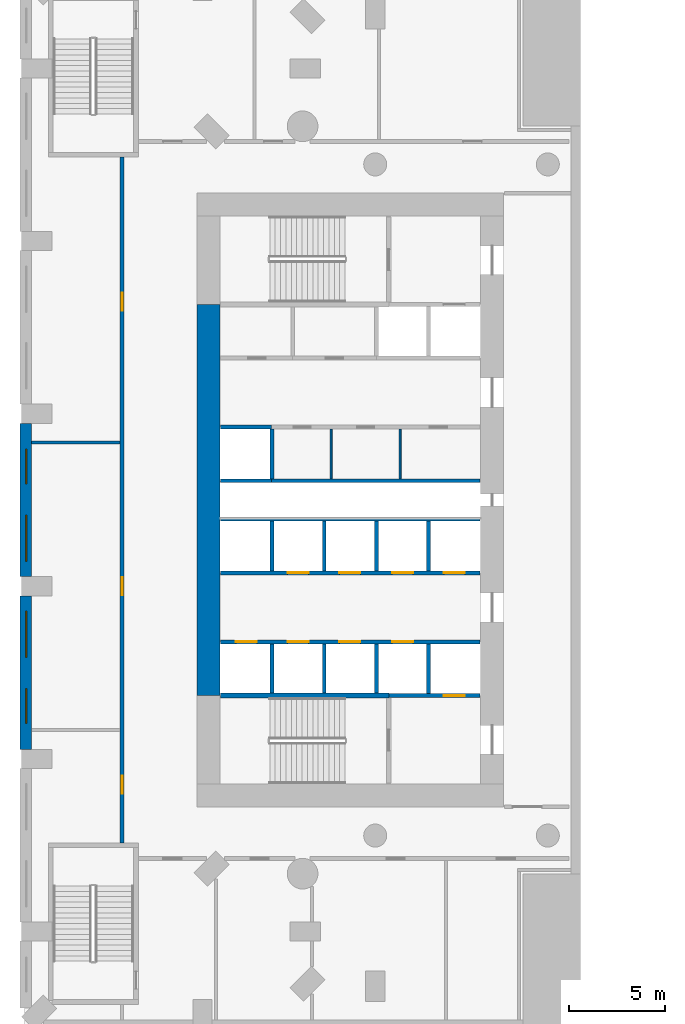
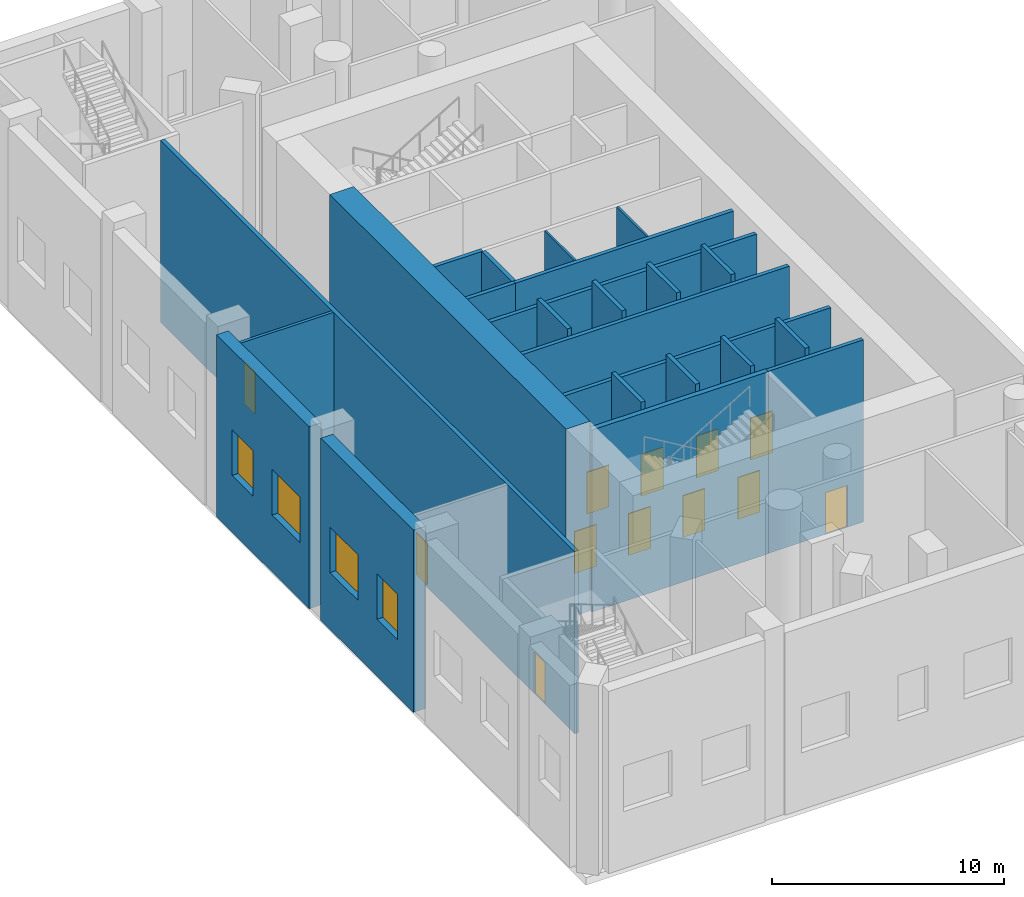
# One storey, part 3 of 17: 24 walls, 12 doors, 4 windows, 16 openings.
"""IFC4 building model written with IfcOpenShell, lengths in metres."""

from ifc_helpers import new_model, si_unit, direction, frame, frame_2d, origin, place, context, subcontext, project, spatial, rectangle, extrude, material, layer, layer_set, type_object, element, fill, save


model = new_model("IFC4")

# Units and contexts
model_context = context("Model", 3, precision=1e-05, world=origin(), true_north=direction((0.0, 1.0)))
body_context = subcontext(model_context, "Body", "Model", "MODEL_VIEW")
ifc_project = project(units=[si_unit("LENGTHUNIT", "METRE"), si_unit("AREAUNIT", "SQUARE_METRE"), si_unit("VOLUMEUNIT", "CUBIC_METRE"), si_unit("PLANEANGLEUNIT", "RADIAN"), si_unit("MASSUNIT", "GRAM", prefix="KILO")], contexts=[model_context])

# Site, building, storey
site_placement = place(None, origin())
site = spatial("IfcSite", under=ifc_project, at=site_placement, CompositionType="ELEMENT")
building_placement = place(site_placement, origin())
building = spatial("IfcBuilding", under=site, at=building_placement, Name="Cypress Arch Tower", CompositionType="ELEMENT")
storey_placement = place(building_placement, frame((0.0, 0.0, 19.0)))
storey = spatial("IfcBuildingStorey", under=building, at=storey_placement, Name="L02", CompositionType="ELEMENT", Elevation=19.0)

# Wall, openings, windows
ifc_material_1 = material(Name="Brick (red buff blend) on blockwork backing", Category="masonry")
ifc_layer_1 = layer(ifc_material_1, 0.60009765625)
ifc_layer_set_1 = layer_set([ifc_layer_1], Name="Brick base wall BW600")
wall_type_1 = type_object("IfcWallType", Name="Brick base wall BW600", PredefinedType="ELEMENTEDWALL", material=ifc_layer_set_1)
wall_1_placement = place(storey_placement, frame((-38.925048828125, 4.0, 0.0), z_axis=(0.0, 0.0, 1.0), x_axis=(0.0, -1.0, 0.0)))
wall_1 = element("IfcWall", 1, at=wall_1_placement, inside=storey, type_object=wall_type_1, Name="Brick wall L02 P04.3", PredefinedType="ELEMENTEDWALL", context=body_context, shape_type="SweptSolid", body=[
    extrude(rectangle(XDim=8.0, YDim=0.60009765625, at=frame_2d((4.0, 0.0))), origin(), (0.0, 0.0, 1.0), 9.60009765625),
])
opening_1_placement = place(wall_1_placement, frame((4.800048828125, 0.0, 3.0)))
opening_1 = element("IfcOpeningElement", 2, at=opening_1_placement, cuts=wall_1, Name="Opening W240P", PredefinedType="OPENING", context=body_context, shape_type="SweptSolid", body=[
    extrude(rectangle(XDim=2.39990234375, YDim=2.39990234375, at=frame_2d((1.199951171875, 1.199951171875))), frame((0.0, 0.31005859375, 0.0), z_axis=(0.0, -1.0, 0.0), x_axis=(1.0, 0.0, 0.0)), (0.0, 0.0, 1.0), 0.6201171875),
])
opening_2_placement = place(wall_1_placement, frame((1.35009765625, 0.0, 3.0)))
opening_2 = element("IfcOpeningElement", 3, at=opening_2_placement, cuts=wall_1, Name="Opening W180P", PredefinedType="OPENING", context=body_context, shape_type="SweptSolid", body=[
    extrude(rectangle(XDim=1.800048828125, YDim=2.39990234375, at=frame_2d((0.89990234375, 1.199951171875))), frame((0.0, 0.31005859375, 0.0), z_axis=(0.0, -1.0, 0.0), x_axis=(1.0, 0.0, 0.0)), (0.0, 0.0, 1.0), 0.6201171875),
])
ifc_material_2 = material(Name="Anodised aluminium, bronze finish, clear low-emissivity double glazing", Category="aluminium")
window_type_1 = type_object("IfcWindowType", Name="Window Podium 1800x2400", PartitioningType="SINGLE_PANEL", PredefinedType="WINDOW", material=ifc_material_2)
window_1_placement = place(opening_2_placement, origin())
window_1 = element("IfcWindow", 4, at=window_1_placement, inside=storey, type_object=window_type_1, Name="Window L02 P04.3.1", OverallHeight=2.39990234375, OverallWidth=1.800048828125, PartitioningType="SINGLE_PANEL", PredefinedType="WINDOW", context=body_context, shape_type="SweptSolid", body=[
    extrude(rectangle(XDim=1.800048828125, YDim=2.39990234375, at=frame_2d((0.89990234375, 1.199951171875))), frame((0.0, 0.06005859375, 0.0), z_axis=(0.0, -1.0, 0.0), x_axis=(1.0, 0.0, 0.0)), (0.0, 0.0, 1.0), 0.06005859375),
])
fill(opening_2, window_1)
ifc_material_3 = material(Name="Anodised aluminium, bronze finish, clear low-emissivity double glazing", Category="aluminium")
window_type_2 = type_object("IfcWindowType", Name="Window Podium 2400x2400", PartitioningType="SINGLE_PANEL", PredefinedType="WINDOW", material=ifc_material_3)
window_2_placement = place(opening_1_placement, origin())
window_2 = element("IfcWindow", 5, at=window_2_placement, inside=storey, type_object=window_type_2, Name="Window L02 P04.3.2", OverallHeight=2.39990234375, OverallWidth=2.39990234375, PartitioningType="SINGLE_PANEL", PredefinedType="WINDOW", context=body_context, shape_type="SweptSolid", body=[
    extrude(rectangle(XDim=2.39990234375, YDim=2.39990234375, at=frame_2d((1.199951171875, 1.199951171875))), frame((0.0, 0.06005859375, 0.0), z_axis=(0.0, -1.0, 0.0), x_axis=(1.0, 0.0, 0.0)), (0.0, 0.0, 1.0), 0.06005859375),
])
fill(opening_1, window_2)

wall_2_placement = place(storey_placement, frame((-38.925048828125, -5.0, 0.0), z_axis=(0.0, 0.0, 1.0), x_axis=(0.0, -1.0, 0.0)))
wall_2 = element("IfcWall", 6, at=wall_2_placement, inside=storey, type_object=wall_type_1, Name="Brick wall L02 P04.4", PredefinedType="ELEMENTEDWALL", context=body_context, shape_type="SweptSolid", body=[
    extrude(rectangle(XDim=8.0, YDim=0.60009765625, at=frame_2d((4.0, 0.0))), origin(), (0.0, 0.0, 1.0), 9.60009765625),
])
opening_3_placement = place(wall_2_placement, frame((0.800048828125, 0.0, 3.0)))
opening_3 = element("IfcOpeningElement", 7, at=opening_3_placement, cuts=wall_2, Name="Opening W240P", PredefinedType="OPENING", context=body_context, shape_type="SweptSolid", body=[
    extrude(rectangle(XDim=2.39990234375, YDim=2.39990234375, at=frame_2d((1.199951171875, 1.199951171875))), frame((0.0, 0.31005859375, 0.0), z_axis=(0.0, -1.0, 0.0), x_axis=(1.0, 0.0, 0.0)), (0.0, 0.0, 1.0), 0.6201171875),
])
opening_4_placement = place(wall_2_placement, frame((4.85009765625, 0.0, 3.0)))
opening_4 = element("IfcOpeningElement", 8, at=opening_4_placement, cuts=wall_2, Name="Opening W180P", PredefinedType="OPENING", context=body_context, shape_type="SweptSolid", body=[
    extrude(rectangle(XDim=1.800048828125, YDim=2.39990234375, at=frame_2d((0.89990234375, 1.199951171875))), frame((0.0, 0.31005859375, 0.0), z_axis=(0.0, -1.0, 0.0), x_axis=(1.0, 0.0, 0.0)), (0.0, 0.0, 1.0), 0.6201171875),
])
window_3_placement = place(opening_4_placement, origin())
window_3 = element("IfcWindow", 9, at=window_3_placement, inside=storey, type_object=window_type_1, Name="Window L02 P04.4.2", OverallHeight=2.39990234375, OverallWidth=1.800048828125, PartitioningType="SINGLE_PANEL", PredefinedType="WINDOW", context=body_context, shape_type="SweptSolid", body=[
    extrude(rectangle(XDim=1.800048828125, YDim=2.39990234375, at=frame_2d((0.89990234375, 1.199951171875))), frame((0.0, 0.06005859375, 0.0), z_axis=(0.0, -1.0, 0.0), x_axis=(1.0, 0.0, 0.0)), (0.0, 0.0, 1.0), 0.06005859375),
])
fill(opening_4, window_3)
window_4_placement = place(opening_3_placement, origin())
window_4 = element("IfcWindow", 10, at=window_4_placement, inside=storey, type_object=window_type_2, Name="Window L02 P04.4.1", OverallHeight=2.39990234375, OverallWidth=2.39990234375, PartitioningType="SINGLE_PANEL", PredefinedType="WINDOW", context=body_context, shape_type="SweptSolid", body=[
    extrude(rectangle(XDim=2.39990234375, YDim=2.39990234375, at=frame_2d((1.199951171875, 1.199951171875))), frame((0.0, 0.06005859375, 0.0), z_axis=(0.0, -1.0, 0.0), x_axis=(1.0, 0.0, 0.0)), (0.0, 0.0, 1.0), 0.06005859375),
])
fill(opening_3, window_4)

# Wall
ifc_material_4 = material(Name="Concrete C80/95", Category="concrete")
ifc_layer_2 = layer(ifc_material_4, 1.199951171875)
ifc_layer_set_2 = layer_set([ifc_layer_2], Name="Core wall CW1200 C80/95")
wall_type_2 = type_object("IfcWallType", Name="Core wall CW1200 C80/95", PredefinedType="SHEAR", material=ifc_layer_set_2)
wall_3_placement = place(storey_placement, frame((-29.39990234375, -10.199951171875, 0.0), z_axis=(0.0, 0.0, 1.0), x_axis=(0.0, 1.0, 0.0)))
element("IfcWall", 11, at=wall_3_placement, inside=storey, type_object=wall_type_2, Name="Core wall", PredefinedType="SHEAR", context=body_context, shape_type="SweptSolid", body=[
    extrude(rectangle(XDim=20.39990234375, YDim=1.199951171875, at=frame_2d((10.199951171875, 0.0))), origin(), (0.0, 0.0, 1.0), 10.0),
])

# Wall, openings, doors
ifc_material_5 = material(Name="Concrete blockwork, plastered, rated", Category="masonry")
ifc_layer_3 = layer(ifc_material_5, 0.199951171875)
ifc_layer_set_3 = layer_set([ifc_layer_3], Name="Corridor wall FW200")
wall_type_3 = type_object("IfcWallType", Name="Corridor wall FW200", PredefinedType="PARTITIONING", material=ifc_layer_set_3)
wall_4_placement = place(storey_placement, frame((-33.89990234375, -17.8798828125, 0.0), z_axis=(0.0, 0.0, 1.0), x_axis=(0.0, 1.0, 0.0)))
wall_4 = element("IfcWall", 12, at=wall_4_placement, inside=storey, type_object=wall_type_3, Name="Corridor wall", PredefinedType="PARTITIONING", context=body_context, shape_type="SweptSolid", body=[
    extrude(rectangle(XDim=35.759765625, YDim=0.199951171875, at=frame_2d((17.8798828125, 0.0))), origin(), (0.0, 0.0, 1.0), 9.597900390625),
])
opening_5_placement = place(wall_4_placement, frame((2.550048828125, 0.0, 0.0)))
opening_5 = element("IfcOpeningElement", 13, at=opening_5_placement, cuts=wall_4, Name="Opening D02", PredefinedType="OPENING", context=body_context, shape_type="SweptSolid", body=[
    extrude(rectangle(XDim=0.949951171875, YDim=2.199951171875, at=frame_2d((0.47509765625, 1.10009765625))), frame((0.0, 0.10986328125, 0.0), z_axis=(0.0, -1.0, 0.0), x_axis=(1.0, 0.0, 0.0)), (0.0, 0.0, 1.0), 0.219970703125),
])
opening_6_placement = place(wall_4_placement, frame((12.89990234375, 0.0, 0.0)))
opening_6 = element("IfcOpeningElement", 14, at=opening_6_placement, cuts=wall_4, Name="Opening D02", PredefinedType="OPENING", context=body_context, shape_type="SweptSolid", body=[
    extrude(rectangle(XDim=0.949951171875, YDim=2.199951171875, at=frame_2d((0.47509765625, 1.10009765625))), frame((0.0, 0.10986328125, 0.0), z_axis=(0.0, -1.0, 0.0), x_axis=(1.0, 0.0, 0.0)), (0.0, 0.0, 1.0), 0.219970703125),
])
opening_7_placement = place(wall_4_placement, frame((27.75, 0.0, 0.0)))
opening_7 = element("IfcOpeningElement", 15, at=opening_7_placement, cuts=wall_4, Name="Opening D02", PredefinedType="OPENING", context=body_context, shape_type="SweptSolid", body=[
    extrude(rectangle(XDim=0.949951171875, YDim=2.199951171875, at=frame_2d((0.47509765625, 1.10009765625))), frame((0.0, 0.10986328125, 0.0), z_axis=(0.0, -1.0, 0.0), x_axis=(1.0, 0.0, 0.0)), (0.0, 0.0, 1.0), 0.219970703125),
])
ifc_material_6 = material(Name="Timber flush door, fire resisting", Category="wood")
door_type_1 = type_object("IfcDoorType", Name="Room door D02 950x2200", OperationType="SINGLE_SWING_LEFT", PredefinedType="DOOR", material=ifc_material_6)
door_1_placement = place(opening_5_placement, origin())
door_1 = element("IfcDoor", 16, at=door_1_placement, inside=storey, type_object=door_type_1, Name="Room door", OperationType="SINGLE_SWING_RIGHT", OverallHeight=2.199951171875, OverallWidth=0.949951171875, PredefinedType="DOOR", context=body_context, shape_type="SweptSolid", body=[
    extrude(rectangle(XDim=0.949951171875, YDim=2.199951171875, at=frame_2d((0.47509765625, 1.10009765625))), frame((0.0, 0.02490234375, 0.0), z_axis=(0.0, -1.0, 0.0), x_axis=(1.0, 0.0, 0.0)), (0.0, 0.0, 1.0), 0.050048828125),
])
fill(opening_5, door_1)
door_2_placement = place(opening_6_placement, origin())
door_2 = element("IfcDoor", 17, at=door_2_placement, inside=storey, type_object=door_type_1, Name="Room door", OperationType="SINGLE_SWING_LEFT", OverallHeight=2.199951171875, OverallWidth=0.949951171875, PredefinedType="DOOR", context=body_context, shape_type="SweptSolid", body=[
    extrude(rectangle(XDim=0.949951171875, YDim=2.199951171875, at=frame_2d((0.47509765625, 1.10009765625))), frame((0.0, 0.02490234375, 0.0), z_axis=(0.0, -1.0, 0.0), x_axis=(1.0, 0.0, 0.0)), (0.0, 0.0, 1.0), 0.050048828125),
])
fill(opening_6, door_2)
door_3_placement = place(opening_7_placement, origin())
door_3 = element("IfcDoor", 18, at=door_3_placement, inside=storey, type_object=door_type_1, Name="Room door", OperationType="SINGLE_SWING_RIGHT", OverallHeight=2.199951171875, OverallWidth=0.949951171875, PredefinedType="DOOR", context=body_context, shape_type="SweptSolid", body=[
    extrude(rectangle(XDim=0.949951171875, YDim=2.199951171875, at=frame_2d((0.47509765625, 1.10009765625))), frame((0.0, 0.02490234375, 0.0), z_axis=(0.0, -1.0, 0.0), x_axis=(1.0, 0.0, 0.0)), (0.0, 0.0, 1.0), 0.050048828125),
])
fill(opening_7, door_3)

# Walls
ifc_material_7 = material(Name="Blockwork, plastered both sides", Category="masonry")
ifc_layer_4 = layer(ifc_material_7, 0.14990234375)
ifc_layer_set_4 = layer_set([ifc_layer_4], Name="Partition PW150")
wall_type_4 = type_object("IfcWallType", Name="Partition PW150", PredefinedType="PARTITIONING", material=ifc_layer_set_4)
wall_5_placement = place(storey_placement, frame((-38.625, 3.0, 0.0), z_axis=(0.0, 0.0, 1.0), x_axis=(1.0, 0.0, 0.0)))
element("IfcWall", 19, at=wall_5_placement, inside=storey, type_object=wall_type_4, Name="Partition", PredefinedType="PARTITIONING", context=body_context, shape_type="SweptSolid", body=[
    extrude(rectangle(XDim=4.625, YDim=0.14990234375, at=frame_2d((2.3125, 0.0))), origin(), (0.0, 0.0, 1.0), 9.597900390625),
])
ifc_material_8 = material(Name="Reinforced blockwork, plastered, rated", Category="masonry")
ifc_layer_5 = layer(ifc_material_8, 0.199951171875)
ifc_layer_set_5 = layer_set([ifc_layer_5], Name="Plant and riser wall PL200")
wall_type_5 = type_object("IfcWallType", Name="Plant and riser wall PL200", PredefinedType="PARTITIONING", material=ifc_layer_set_5)
wall_6_placement = place(storey_placement, frame((-26.10009765625, 1.0, 0.0), z_axis=(0.0, 0.0, 1.0), x_axis=(1.0, 0.0, 0.0)))
element("IfcWall", 20, at=wall_6_placement, inside=storey, type_object=wall_type_5, Name="Plant and riser wall", PredefinedType="PARTITIONING", context=body_context, shape_type="SweptSolid", body=[
    extrude(rectangle(XDim=10.8701171875, YDim=0.199951171875, at=frame_2d((5.43505859375, 0.0))), origin(), (0.0, 0.0, 1.0), 9.597900390625),
])

# Wall, openings, doors
ifc_material_9 = material(Name="Concrete C50/60", Category="concrete")
ifc_layer_6 = layer(ifc_material_9, 0.199951171875)
ifc_layer_set_6 = layer_set([ifc_layer_6], Name="Shaft wall SH200")
wall_type_6 = type_object("IfcWallType", Name="Shaft wall SH200", PredefinedType="SHEAR", material=ifc_layer_set_6)
wall_7_placement = place(storey_placement, frame((-28.77001953125, -7.39990234375, 0.0), z_axis=(0.0, 0.0, 1.0), x_axis=(1.0, 0.0, 0.0)))
wall_7 = element("IfcWall", 21, at=wall_7_placement, inside=storey, type_object=wall_type_6, Name="Shaft wall", PredefinedType="SHEAR", context=body_context, shape_type="SweptSolid", body=[
    extrude(rectangle(XDim=13.5400390625, YDim=0.199951171875, at=frame_2d((6.77001953125, 0.0))), origin(), (0.0, 0.0, 1.0), 9.597900390625),
])
opening_8_placement = place(wall_7_placement, frame((0.800048828125, 0.0, 0.0)))
opening_8 = element("IfcOpeningElement", 22, at=opening_8_placement, cuts=wall_7, Name="Opening LD-LR1", PredefinedType="OPENING", context=body_context, shape_type="SweptSolid", body=[
    extrude(rectangle(XDim=1.10009765625, YDim=2.199951171875, at=frame_2d((0.550048828125, 1.10009765625))), frame((0.0, 0.10986328125, 0.0), z_axis=(0.0, -1.0, 0.0), x_axis=(1.0, 0.0, 0.0)), (0.0, 0.0, 1.0), 0.219970703125),
])
opening_9_placement = place(wall_7_placement, frame((3.5, 0.0, 0.0)))
opening_9 = element("IfcOpeningElement", 23, at=opening_9_placement, cuts=wall_7, Name="Opening LD-LR2", PredefinedType="OPENING", context=body_context, shape_type="SweptSolid", body=[
    extrude(rectangle(XDim=1.10009765625, YDim=2.199951171875, at=frame_2d((0.550048828125, 1.10009765625))), frame((0.0, 0.10986328125, 0.0), z_axis=(0.0, -1.0, 0.0), x_axis=(1.0, 0.0, 0.0)), (0.0, 0.0, 1.0), 0.219970703125),
])
opening_10_placement = place(wall_7_placement, frame((6.199951171875, 0.0, 0.0)))
opening_10 = element("IfcOpeningElement", 24, at=opening_10_placement, cuts=wall_7, Name="Opening LD-LR3", PredefinedType="OPENING", context=body_context, shape_type="SweptSolid", body=[
    extrude(rectangle(XDim=1.10009765625, YDim=2.199951171875, at=frame_2d((0.550048828125, 1.10009765625))), frame((0.0, 0.10986328125, 0.0), z_axis=(0.0, -1.0, 0.0), x_axis=(1.0, 0.0, 0.0)), (0.0, 0.0, 1.0), 0.219970703125),
])
opening_11_placement = place(wall_7_placement, frame((8.949951171875, 0.0, 0.0)))
opening_11 = element("IfcOpeningElement", 25, at=opening_11_placement, cuts=wall_7, Name="Opening LD-LR4", PredefinedType="OPENING", context=body_context, shape_type="SweptSolid", body=[
    extrude(rectangle(XDim=1.10009765625, YDim=2.199951171875, at=frame_2d((0.550048828125, 1.10009765625))), frame((0.0, 0.10986328125, 0.0), z_axis=(0.0, -1.0, 0.0), x_axis=(1.0, 0.0, 0.0)), (0.0, 0.0, 1.0), 0.219970703125),
])
ifc_material_10 = material(Name="Stainless steel centre-opening landing door, rated", Category="steel")
door_type_2 = type_object("IfcDoorType", Name="Lift landing door LD 1100x2200", OperationType="DOUBLE_DOOR_SLIDING", PredefinedType="DOOR", material=ifc_material_10)
door_4_placement = place(opening_8_placement, origin())
door_4 = element("IfcDoor", 26, at=door_4_placement, inside=storey, type_object=door_type_2, Name="Lift landing doors LR1", OperationType="DOUBLE_DOOR_SLIDING", OverallHeight=2.199951171875, OverallWidth=1.10009765625, PredefinedType="DOOR", context=body_context, shape_type="SweptSolid", body=[
    extrude(rectangle(XDim=1.10009765625, YDim=2.199951171875, at=frame_2d((0.550048828125, 1.10009765625))), frame((0.0, 0.02490234375, 0.0), z_axis=(0.0, -1.0, 0.0), x_axis=(1.0, 0.0, 0.0)), (0.0, 0.0, 1.0), 0.050048828125),
])
fill(opening_8, door_4)
door_5_placement = place(opening_9_placement, origin())
door_5 = element("IfcDoor", 27, at=door_5_placement, inside=storey, type_object=door_type_2, Name="Lift landing doors LR2", OperationType="DOUBLE_DOOR_SLIDING", OverallHeight=2.199951171875, OverallWidth=1.10009765625, PredefinedType="DOOR", context=body_context, shape_type="SweptSolid", body=[
    extrude(rectangle(XDim=1.10009765625, YDim=2.199951171875, at=frame_2d((0.550048828125, 1.10009765625))), frame((0.0, 0.02490234375, 0.0), z_axis=(0.0, -1.0, 0.0), x_axis=(1.0, 0.0, 0.0)), (0.0, 0.0, 1.0), 0.050048828125),
])
fill(opening_9, door_5)
door_6_placement = place(opening_10_placement, origin())
door_6 = element("IfcDoor", 28, at=door_6_placement, inside=storey, type_object=door_type_2, Name="Lift landing doors LR3", OperationType="DOUBLE_DOOR_SLIDING", OverallHeight=2.199951171875, OverallWidth=1.10009765625, PredefinedType="DOOR", context=body_context, shape_type="SweptSolid", body=[
    extrude(rectangle(XDim=1.10009765625, YDim=2.199951171875, at=frame_2d((0.550048828125, 1.10009765625))), frame((0.0, 0.02490234375, 0.0), z_axis=(0.0, -1.0, 0.0), x_axis=(1.0, 0.0, 0.0)), (0.0, 0.0, 1.0), 0.050048828125),
])
fill(opening_10, door_6)
door_7_placement = place(opening_11_placement, origin())
door_7 = element("IfcDoor", 29, at=door_7_placement, inside=storey, type_object=door_type_2, Name="Lift landing doors LR4", OperationType="DOUBLE_DOOR_SLIDING", OverallHeight=2.199951171875, OverallWidth=1.10009765625, PredefinedType="DOOR", context=body_context, shape_type="SweptSolid", body=[
    extrude(rectangle(XDim=1.10009765625, YDim=2.199951171875, at=frame_2d((0.550048828125, 1.10009765625))), frame((0.0, 0.02490234375, 0.0), z_axis=(0.0, -1.0, 0.0), x_axis=(1.0, 0.0, 0.0)), (0.0, 0.0, 1.0), 0.050048828125),
])
fill(opening_11, door_7)

wall_8_placement = place(storey_placement, frame((-28.77001953125, -3.800048828125, 0.0), z_axis=(0.0, 0.0, 1.0), x_axis=(1.0, 0.0, 0.0)))
wall_8 = element("IfcWall", 30, at=wall_8_placement, inside=storey, type_object=wall_type_6, Name="Shaft wall", PredefinedType="SHEAR", context=body_context, shape_type="SweptSolid", body=[
    extrude(rectangle(XDim=13.5400390625, YDim=0.199951171875, at=frame_2d((6.77001953125, 0.0))), origin(), (0.0, 0.0, 1.0), 9.597900390625),
])
opening_12_placement = place(wall_8_placement, frame((3.5, 0.0, 0.0)))
opening_12 = element("IfcOpeningElement", 31, at=opening_12_placement, cuts=wall_8, Name="Opening LD-LR5", PredefinedType="OPENING", context=body_context, shape_type="SweptSolid", body=[
    extrude(rectangle(XDim=1.10009765625, YDim=2.199951171875, at=frame_2d((0.550048828125, 1.10009765625))), frame((0.0, 0.10986328125, 0.0), z_axis=(0.0, -1.0, 0.0), x_axis=(1.0, 0.0, 0.0)), (0.0, 0.0, 1.0), 0.219970703125),
])
opening_13_placement = place(wall_8_placement, frame((6.199951171875, 0.0, 0.0)))
opening_13 = element("IfcOpeningElement", 32, at=opening_13_placement, cuts=wall_8, Name="Opening LD-LR6", PredefinedType="OPENING", context=body_context, shape_type="SweptSolid", body=[
    extrude(rectangle(XDim=1.10009765625, YDim=2.199951171875, at=frame_2d((0.550048828125, 1.10009765625))), frame((0.0, 0.10986328125, 0.0), z_axis=(0.0, -1.0, 0.0), x_axis=(1.0, 0.0, 0.0)), (0.0, 0.0, 1.0), 0.219970703125),
])
opening_14_placement = place(wall_8_placement, frame((8.949951171875, 0.0, 0.0)))
opening_14 = element("IfcOpeningElement", 33, at=opening_14_placement, cuts=wall_8, Name="Opening LD-LR7", PredefinedType="OPENING", context=body_context, shape_type="SweptSolid", body=[
    extrude(rectangle(XDim=1.10009765625, YDim=2.199951171875, at=frame_2d((0.550048828125, 1.10009765625))), frame((0.0, 0.10986328125, 0.0), z_axis=(0.0, -1.0, 0.0), x_axis=(1.0, 0.0, 0.0)), (0.0, 0.0, 1.0), 0.219970703125),
])
opening_15_placement = place(wall_8_placement, frame((11.64990234375, 0.0, 0.0)))
opening_15 = element("IfcOpeningElement", 34, at=opening_15_placement, cuts=wall_8, Name="Opening LD-LR8", PredefinedType="OPENING", context=body_context, shape_type="SweptSolid", body=[
    extrude(rectangle(XDim=1.10009765625, YDim=2.199951171875, at=frame_2d((0.550048828125, 1.10009765625))), frame((0.0, 0.10986328125, 0.0), z_axis=(0.0, -1.0, 0.0), x_axis=(1.0, 0.0, 0.0)), (0.0, 0.0, 1.0), 0.219970703125),
])
door_8_placement = place(opening_12_placement, origin())
door_8 = element("IfcDoor", 35, at=door_8_placement, inside=storey, type_object=door_type_2, Name="Lift landing doors LR5", OperationType="DOUBLE_DOOR_SLIDING", OverallHeight=2.199951171875, OverallWidth=1.10009765625, PredefinedType="DOOR", context=body_context, shape_type="SweptSolid", body=[
    extrude(rectangle(XDim=1.10009765625, YDim=2.199951171875, at=frame_2d((0.550048828125, 1.10009765625))), frame((0.0, 0.02490234375, 0.0), z_axis=(0.0, -1.0, 0.0), x_axis=(1.0, 0.0, 0.0)), (0.0, 0.0, 1.0), 0.050048828125),
])
fill(opening_12, door_8)
door_9_placement = place(opening_13_placement, origin())
door_9 = element("IfcDoor", 36, at=door_9_placement, inside=storey, type_object=door_type_2, Name="Lift landing doors LR6", OperationType="DOUBLE_DOOR_SLIDING", OverallHeight=2.199951171875, OverallWidth=1.10009765625, PredefinedType="DOOR", context=body_context, shape_type="SweptSolid", body=[
    extrude(rectangle(XDim=1.10009765625, YDim=2.199951171875, at=frame_2d((0.550048828125, 1.10009765625))), frame((0.0, 0.02490234375, 0.0), z_axis=(0.0, -1.0, 0.0), x_axis=(1.0, 0.0, 0.0)), (0.0, 0.0, 1.0), 0.050048828125),
])
fill(opening_13, door_9)
door_10_placement = place(opening_14_placement, origin())
door_10 = element("IfcDoor", 37, at=door_10_placement, inside=storey, type_object=door_type_2, Name="Lift landing doors LR7", OperationType="DOUBLE_DOOR_SLIDING", OverallHeight=2.199951171875, OverallWidth=1.10009765625, PredefinedType="DOOR", context=body_context, shape_type="SweptSolid", body=[
    extrude(rectangle(XDim=1.10009765625, YDim=2.199951171875, at=frame_2d((0.550048828125, 1.10009765625))), frame((0.0, 0.02490234375, 0.0), z_axis=(0.0, -1.0, 0.0), x_axis=(1.0, 0.0, 0.0)), (0.0, 0.0, 1.0), 0.050048828125),
])
fill(opening_14, door_10)
door_11_placement = place(opening_15_placement, origin())
door_11 = element("IfcDoor", 38, at=door_11_placement, inside=storey, type_object=door_type_2, Name="Lift landing doors LR8", OperationType="DOUBLE_DOOR_SLIDING", OverallHeight=2.199951171875, OverallWidth=1.10009765625, PredefinedType="DOOR", context=body_context, shape_type="SweptSolid", body=[
    extrude(rectangle(XDim=1.10009765625, YDim=2.199951171875, at=frame_2d((0.550048828125, 1.10009765625))), frame((0.0, 0.02490234375, 0.0), z_axis=(0.0, -1.0, 0.0), x_axis=(1.0, 0.0, 0.0)), (0.0, 0.0, 1.0), 0.050048828125),
])
fill(opening_15, door_11)

# Walls
wall_9_placement = place(storey_placement, frame((-28.77001953125, -1.0, 0.0), z_axis=(0.0, 0.0, 1.0), x_axis=(1.0, 0.0, 0.0)))
element("IfcWall", 39, at=wall_9_placement, inside=storey, type_object=wall_type_6, Name="Shaft wall", PredefinedType="SHEAR", context=body_context, shape_type="SweptSolid", body=[
    extrude(rectangle(XDim=13.5400390625, YDim=0.199951171875, at=frame_2d((6.77001953125, 0.0))), origin(), (0.0, 0.0, 1.0), 9.597900390625),
])
for number, where, z_axis, x_axis, name in (
    (40, (-28.77001953125, 1.0, 0.0), (0.0, 0.0, 1.0), (1.0, 0.0, 0.0), "Shaft wall"),
    (41, (-28.77001953125, 3.800048828125, 0.0), (0.0, 0.0, 1.0), (1.0, 0.0, 0.0), "Shaft wall"),
):
    element("IfcWall", number, at=place(storey_placement, frame(where, z_axis=z_axis, x_axis=x_axis)), inside=storey, type_object=wall_type_6, Name=name, PredefinedType="SHEAR", context=body_context, shape_type="SweptSolid", body=[
        extrude(rectangle(XDim=2.669921875, YDim=0.199951171875, at=frame_2d((1.3349609375, 0.0))), origin(), (0.0, 0.0, 1.0), 9.597900390625),
    ])
wall_10_placement = place(storey_placement, frame((-26.080078125, -10.074951171875, 0.0), z_axis=(0.0, 0.0, 1.0), x_axis=(0.0, 1.0, 0.0)))
element("IfcWall", 42, at=wall_10_placement, inside=storey, type_object=wall_type_6, Name="Shaft wall", PredefinedType="SHEAR", context=body_context, shape_type="SweptSolid", body=[
    extrude(rectangle(XDim=2.574951171875, YDim=0.199951171875, at=frame_2d((1.28759765625, 0.0))), origin(), (0.0, 0.0, 1.0), 10.0),
])
wall_11_placement = place(storey_placement, frame((-26.080078125, -3.699951171875, 0.0), z_axis=(0.0, 0.0, 1.0), x_axis=(0.0, 1.0, 0.0)))
element("IfcWall", 43, at=wall_11_placement, inside=storey, type_object=wall_type_6, Name="Shaft wall", PredefinedType="SHEAR", context=body_context, shape_type="SweptSolid", body=[
    extrude(rectangle(XDim=2.599853515625, YDim=0.199951171875, at=frame_2d((1.2998046875, 0.0))), origin(), (0.0, 0.0, 1.0), 10.0),
])
wall_12_placement = place(storey_placement, frame((-26.080078125, 1.10009765625, 0.0), z_axis=(0.0, 0.0, 1.0), x_axis=(0.0, 1.0, 0.0)))
element("IfcWall", 44, at=wall_12_placement, inside=storey, type_object=wall_type_6, Name="Shaft wall", PredefinedType="SHEAR", context=body_context, shape_type="SweptSolid", body=[
    extrude(rectangle(XDim=2.599853515625, YDim=0.199951171875, at=frame_2d((1.2998046875, 0.0))), origin(), (0.0, 0.0, 1.0), 9.597900390625),
])
wall_13_placement = place(storey_placement, frame((-23.360107421875, -10.074951171875, 0.0), z_axis=(0.0, 0.0, 1.0), x_axis=(0.0, 1.0, 0.0)))
element("IfcWall", 45, at=wall_13_placement, inside=storey, type_object=wall_type_6, Name="Shaft wall", PredefinedType="SHEAR", context=body_context, shape_type="SweptSolid", body=[
    extrude(rectangle(XDim=2.574951171875, YDim=0.199951171875, at=frame_2d((1.28759765625, 0.0))), origin(), (0.0, 0.0, 1.0), 10.0),
])
wall_14_placement = place(storey_placement, frame((-23.360107421875, -3.699951171875, 0.0), z_axis=(0.0, 0.0, 1.0), x_axis=(0.0, 1.0, 0.0)))
element("IfcWall", 46, at=wall_14_placement, inside=storey, type_object=wall_type_6, Name="Shaft wall", PredefinedType="SHEAR", context=body_context, shape_type="SweptSolid", body=[
    extrude(rectangle(XDim=2.599853515625, YDim=0.199951171875, at=frame_2d((1.2998046875, 0.0))), origin(), (0.0, 0.0, 1.0), 10.0),
])
wall_15_placement = place(storey_placement, frame((-20.639892578125, -10.074951171875, 0.0), z_axis=(0.0, 0.0, 1.0), x_axis=(0.0, 1.0, 0.0)))
element("IfcWall", 47, at=wall_15_placement, inside=storey, type_object=wall_type_6, Name="Shaft wall", PredefinedType="SHEAR", context=body_context, shape_type="SweptSolid", body=[
    extrude(rectangle(XDim=2.574951171875, YDim=0.199951171875, at=frame_2d((1.28759765625, 0.0))), origin(), (0.0, 0.0, 1.0), 10.0),
])
wall_16_placement = place(storey_placement, frame((-20.639892578125, -3.699951171875, 0.0), z_axis=(0.0, 0.0, 1.0), x_axis=(0.0, 1.0, 0.0)))
element("IfcWall", 48, at=wall_16_placement, inside=storey, type_object=wall_type_6, Name="Shaft wall", PredefinedType="SHEAR", context=body_context, shape_type="SweptSolid", body=[
    extrude(rectangle(XDim=2.599853515625, YDim=0.199951171875, at=frame_2d((1.2998046875, 0.0))), origin(), (0.0, 0.0, 1.0), 10.0),
])

# Wall, opening, door
wall_17_placement = place(storey_placement, frame((-19.97998046875, -10.199951171875, 0.0), z_axis=(0.0, 0.0, 1.0), x_axis=(1.0, 0.0, 0.0)))
wall_17 = element("IfcWall", 49, at=wall_17_placement, inside=storey, type_object=wall_type_6, Name="Shaft wall", PredefinedType="SHEAR", context=body_context, shape_type="SweptSolid", body=[
    extrude(rectangle(XDim=4.75, YDim=0.199951171875, at=frame_2d((2.375, 0.0))), origin(), (0.0, 0.0, 1.0), 9.597900390625),
])
opening_16_placement = place(wall_17_placement, frame((2.85009765625, 0.0, 0.0)))
opening_16 = element("IfcOpeningElement", 50, at=opening_16_placement, cuts=wall_17, Name="Opening LD-FL1", PredefinedType="OPENING", context=body_context, shape_type="SweptSolid", body=[
    extrude(rectangle(XDim=1.10009765625, YDim=2.199951171875, at=frame_2d((0.550048828125, 1.10009765625))), frame((0.0, 0.10986328125, 0.0), z_axis=(0.0, -1.0, 0.0), x_axis=(1.0, 0.0, 0.0)), (0.0, 0.0, 1.0), 0.219970703125),
])
door_12_placement = place(opening_16_placement, origin())
door_12 = element("IfcDoor", 51, at=door_12_placement, inside=storey, type_object=door_type_2, Name="Lift landing doors FL1", OperationType="DOUBLE_DOOR_SLIDING", OverallHeight=2.199951171875, OverallWidth=1.10009765625, PredefinedType="DOOR", context=body_context, shape_type="SweptSolid", body=[
    extrude(rectangle(XDim=1.10009765625, YDim=2.199951171875, at=frame_2d((0.550048828125, 1.10009765625))), frame((0.0, 0.02490234375, 0.0), z_axis=(0.0, -1.0, 0.0), x_axis=(1.0, 0.0, 0.0)), (0.0, 0.0, 1.0), 0.050048828125),
])
fill(opening_16, door_12)

# Walls
wall_18_placement = place(storey_placement, frame((-17.919921875, -10.10009765625, 0.0), z_axis=(0.0, 0.0, 1.0), x_axis=(0.0, 1.0, 0.0)))
element("IfcWall", 52, at=wall_18_placement, inside=storey, type_object=wall_type_6, Name="Shaft wall", PredefinedType="SHEAR", context=body_context, shape_type="SweptSolid", body=[
    extrude(rectangle(XDim=2.60009765625, YDim=0.199951171875, at=frame_2d((1.300048828125, 0.0))), origin(), (0.0, 0.0, 1.0), 10.0),
])
wall_19_placement = place(storey_placement, frame((-17.919921875, -3.699951171875, 0.0), z_axis=(0.0, 0.0, 1.0), x_axis=(0.0, 1.0, 0.0)))
element("IfcWall", 53, at=wall_19_placement, inside=storey, type_object=wall_type_6, Name="Shaft wall", PredefinedType="SHEAR", context=body_context, shape_type="SweptSolid", body=[
    extrude(rectangle(XDim=2.599853515625, YDim=0.199951171875, at=frame_2d((1.2998046875, 0.0))), origin(), (0.0, 0.0, 1.0), 10.0),
])
ifc_material_11 = material(Name="Concrete C50/60", Category="concrete")
ifc_layer_7 = layer(ifc_material_11, 0.25)
ifc_layer_set_7 = layer_set([ifc_layer_7], Name="Stair enclosure wall SW250")
wall_type_7 = type_object("IfcWallType", Name="Stair enclosure wall SW250", PredefinedType="SHEAR", material=ifc_layer_set_7)
wall_20_placement = place(storey_placement, frame((-28.77001953125, -10.199951171875, 0.0), z_axis=(0.0, 0.0, 1.0), x_axis=(1.0, 0.0, 0.0)))
element("IfcWall", 54, at=wall_20_placement, inside=storey, type_object=wall_type_7, Name="Stair enclosure wall", PredefinedType="SHEAR", context=body_context, shape_type="SweptSolid", body=[
    extrude(rectangle(XDim=8.7900390625, YDim=0.25, at=frame_2d((4.39501953125, 0.0))), origin(), (0.0, 0.0, 1.0), 9.597900390625),
])
ifc_material_12 = material(Name="Moisture resistant board on steel studs, tiled", Category="steel")
ifc_layer_8 = layer(ifc_material_12, 0.10009765625)
ifc_layer_set_8 = layer_set([ifc_layer_8], Name="Wet wall PW100")
wall_type_8 = type_object("IfcWallType", Name="Wet wall PW100", PredefinedType="PARTITIONING", material=ifc_layer_set_8)
for number, where, z_axis, x_axis, name in (
    (55, (-23.0, 1.10009765625, 0.0), (0.0, 0.0, 1.0), (0.0, 1.0, 0.0), "Wet wall"),
    (56, (-19.39990234375, 1.10009765625, 0.0), (0.0, 0.0, 1.0), (0.0, 1.0, 0.0), "Wet wall"),
):
    element("IfcWall", number, at=place(storey_placement, frame(where, z_axis=z_axis, x_axis=x_axis)), inside=storey, type_object=wall_type_8, Name=name, PredefinedType="PARTITIONING", context=body_context, shape_type="SweptSolid", body=[
        extrude(rectangle(XDim=2.599853515625, YDim=0.10009765625, at=frame_2d((1.2998046875, 0.0))), origin(), (0.0, 0.0, 1.0), 9.597900390625),
    ])

save(model, "model.ifc")
